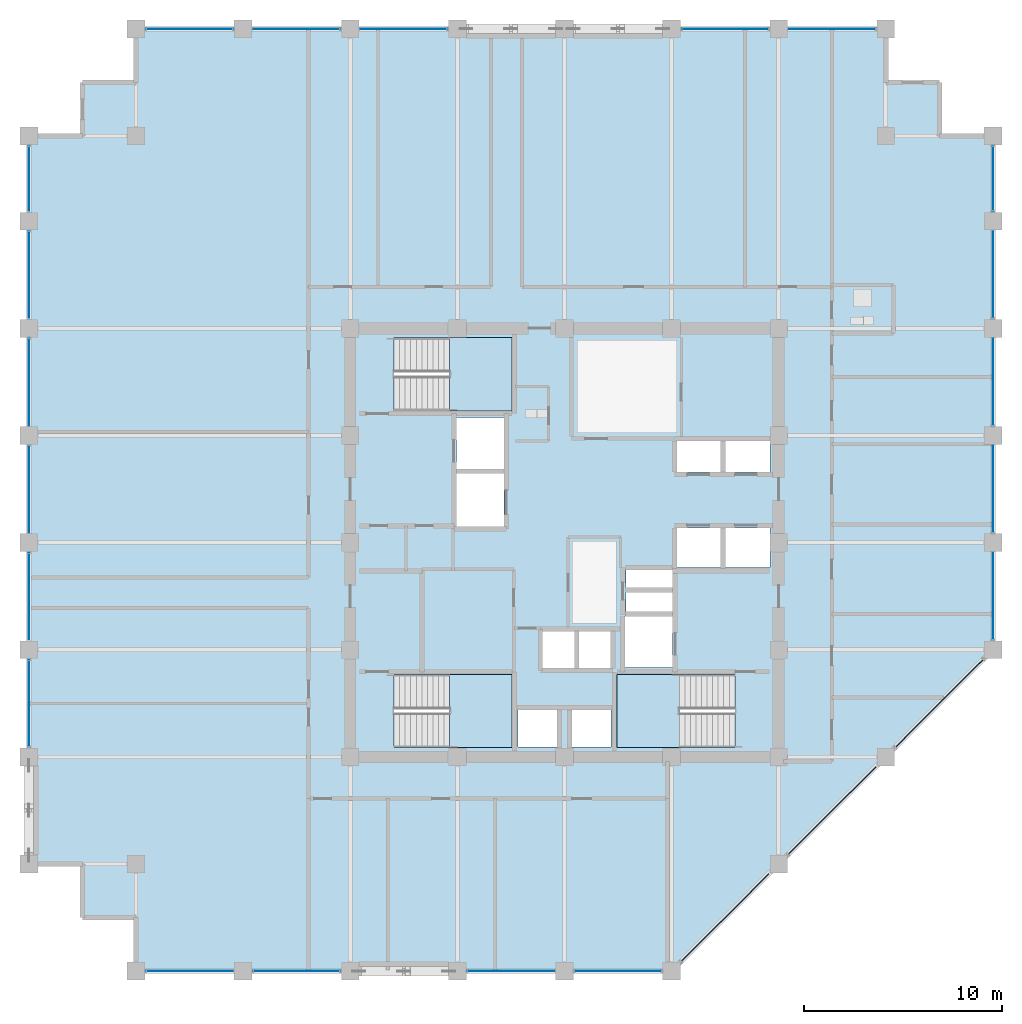
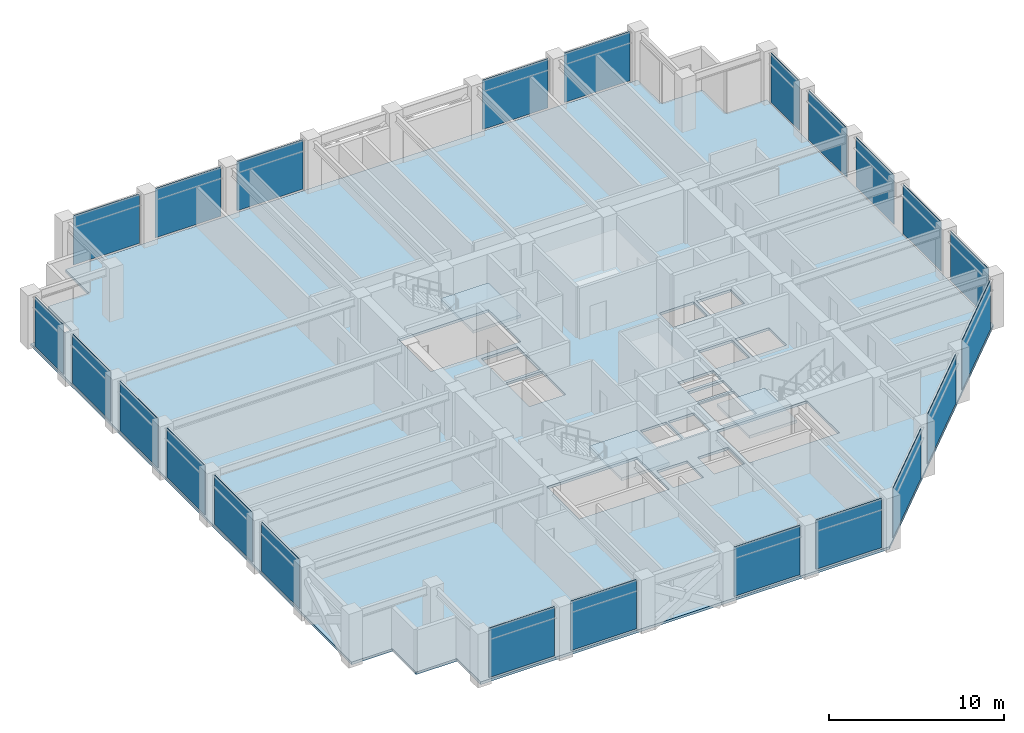
# One storey, part 26 of 32: 23 plates, 4 slabs, 10 elements without a shape of their own.
"""IFC4 building model written with IfcOpenShell, lengths in metres."""

from ifc_helpers import new_model, si_unit, direction, frame, frame_2d, origin, place, context, subcontext, project, spatial, polyline, rectangle, outline, extrude, material, layer, layer_set, type_object, element, aggregate, save


model = new_model("IFC4")

# Units and contexts
model_context = context("Model", 3, precision=1e-05, world=origin(), true_north=direction((0.0, 1.0)))
body_context = subcontext(model_context, "Body", "Model", "MODEL_VIEW")
ifc_project = project(units=[si_unit("LENGTHUNIT", "METRE"), si_unit("AREAUNIT", "SQUARE_METRE"), si_unit("VOLUMEUNIT", "CUBIC_METRE"), si_unit("PLANEANGLEUNIT", "RADIAN"), si_unit("MASSUNIT", "GRAM", prefix="KILO")], contexts=[model_context])

# Site, building, storey
site_placement = place(None, origin())
site = spatial("IfcSite", under=ifc_project, at=site_placement, CompositionType="ELEMENT")
building_placement = place(site_placement, origin())
building = spatial("IfcBuilding", under=site, at=building_placement, Name="Surkhivell Harbour Commons", CompositionType="ELEMENT")
storey_placement = place(building_placement, frame((0.0, 0.0, 208.5)))
storey = spatial("IfcBuildingStorey", under=building, at=storey_placement, Name="L54", CompositionType="ELEMENT", Elevation=208.5)

# Curtain wall, plates
ifc_material_1 = material(Name="Anodised pale-metal aluminium and insulated glazing", Category="aluminium")
ifc_layer_1 = layer(ifc_material_1, 0.18994140625)
ifc_layer_set_1 = layer_set([ifc_layer_1], Name="Anodised pale-metal aluminium and insulated glazing")
curtain_wall_type = type_object("IfcCurtainWallType", Name="CW-SYS-Z3", PredefinedType="NOTDEFINED", material=ifc_layer_set_1)
curtain_wall_1_placement = place(storey_placement, origin())
curtain_wall_1 = element("IfcCurtainWall", 1, at=curtain_wall_1_placement, inside=storey, type_object=curtain_wall_type, Name="L54 Curtain Wall CW-L54-E00S1", PredefinedType="NOTDEFINED")
ifc_material_2 = material(Name="High-pressure typhoon laminated vision glass", Category="glass")
ifc_layer_2 = layer(ifc_material_2, 0.035888671875)
ifc_layer_set_2 = layer_set([ifc_layer_2], Name="High-pressure typhoon laminated vision glass")
plate_type = type_object("IfcPlateType", Name="CWP-GLZ-36", PredefinedType="CURTAIN_PANEL", material=ifc_layer_set_2)
plate_1_placement = place(storey_placement, frame((-21.072998046875, -21.60009765625, 0.1298828125), z_axis=(0.0, 0.0, 1.0), x_axis=(1.0, 0.0, 0.0)))
plate_1 = element("IfcPlate", 2, at=plate_1_placement, type_object=plate_type, Name="CW-Z3 panel 1.1", PredefinedType="CURTAIN_PANEL", context=body_context, shape_type="SweptSolid", body=[
    extrude(rectangle(XDim=4.345947265625, YDim=0.035888671875, at=frame_2d((2.1728515625, 0.0))), origin(), (0.0, 0.0, 1.0), 3.440185546875),
])
plate_2_placement = place(storey_placement, frame((-15.673095703125, -21.60009765625, 0.1298828125), z_axis=(0.0, 0.0, 1.0), x_axis=(1.0, 0.0, 0.0)))
plate_2 = element("IfcPlate", 3, at=plate_2_placement, type_object=plate_type, Name="CW-Z3 panel 2.1", PredefinedType="CURTAIN_PANEL", context=body_context, shape_type="SweptSolid", body=[
    extrude(rectangle(XDim=4.34619140625, YDim=0.035888671875, at=frame_2d((2.173095703125, 0.0))), origin(), (0.0, 0.0, 1.0), 3.440185546875),
])
aggregate(curtain_wall_1, [plate_1, plate_2])

curtain_wall_2_placement = place(storey_placement, origin())
curtain_wall_2 = element("IfcCurtainWall", 4, at=curtain_wall_2_placement, inside=storey, type_object=curtain_wall_type, Name="L54 Curtain Wall CW-L54-E00S2", PredefinedType="NOTDEFINED")
plate_3_placement = place(storey_placement, frame((-4.873046875, -21.60009765625, 0.1298828125), z_axis=(0.0, 0.0, 1.0), x_axis=(1.0, 0.0, 0.0)))
plate_3 = element("IfcPlate", 5, at=plate_3_placement, type_object=plate_type, Name="CW-Z3 panel 1.1", PredefinedType="CURTAIN_PANEL", context=body_context, shape_type="SweptSolid", body=[
    extrude(rectangle(XDim=4.345947265625, YDim=0.035888671875, at=frame_2d((2.1728515625, 0.0))), origin(), (0.0, 0.0, 1.0), 3.440185546875),
])
plate_4_placement = place(storey_placement, frame((0.527099609375, -21.60009765625, 0.1298828125), z_axis=(0.0, 0.0, 1.0), x_axis=(1.0, 0.0, 0.0)))
plate_4 = element("IfcPlate", 6, at=plate_4_placement, type_object=plate_type, Name="CW-Z3 panel 2.1", PredefinedType="CURTAIN_PANEL", context=body_context, shape_type="SweptSolid", body=[
    extrude(rectangle(XDim=4.345947265625, YDim=0.035888671875, at=frame_2d((2.1728515625, 0.0))), origin(), (0.0, 0.0, 1.0), 3.440185546875),
])
aggregate(curtain_wall_2, [plate_3, plate_4])

curtain_wall_3_placement = place(storey_placement, origin())
curtain_wall_3 = element("IfcCurtainWall", 7, at=curtain_wall_3_placement, inside=storey, type_object=curtain_wall_type, Name="L54 Curtain Wall CW-L54-E01", PredefinedType="NOTDEFINED")
plate_5_placement = place(storey_placement, frame((5.90478515625, -21.09521484375, 0.1298828125), z_axis=(0.0, 0.0, 1.0), x_axis=(0.707106781187, 0.707106781187, 0.0)))
plate_5 = element("IfcPlate", 8, at=plate_5_placement, type_object=plate_type, Name="CW-Z3 panel 1.1", PredefinedType="CURTAIN_PANEL", context=body_context, shape_type="SweptSolid", body=[
    extrude(rectangle(XDim=6.209228515625, YDim=0.035888671875, at=frame_2d((3.1044921875, 0.0))), origin(), (0.0, 0.0, 1.0), 3.440185546875),
])
plate_6_placement = place(storey_placement, frame((11.3046875, -15.6953125, 0.1298828125), z_axis=(0.0, 0.0, 1.0), x_axis=(0.707106781187, 0.707106781187, 0.0)))
plate_6 = element("IfcPlate", 9, at=plate_6_placement, type_object=plate_type, Name="CW-Z3 panel 2.1", PredefinedType="CURTAIN_PANEL", context=body_context, shape_type="SweptSolid", body=[
    extrude(rectangle(XDim=6.209228515625, YDim=0.035888671875, at=frame_2d((3.1044921875, 0.0))), origin(), (0.0, 0.0, 1.0), 3.440185546875),
])
plate_7_placement = place(storey_placement, frame((16.70458984375, -10.29541015625, 0.1298828125), z_axis=(0.0, 0.0, 1.0), x_axis=(0.707106781187, 0.707106781187, 0.0)))
plate_7 = element("IfcPlate", 10, at=plate_7_placement, type_object=plate_type, Name="CW-Z3 panel 3.1", PredefinedType="CURTAIN_PANEL", context=body_context, shape_type="SweptSolid", body=[
    extrude(rectangle(XDim=6.209228515625, YDim=0.035888671875, at=frame_2d((3.1044921875, 0.0))), origin(), (0.0, 0.0, 1.0), 3.440185546875),
])
aggregate(curtain_wall_3, [plate_5, plate_6, plate_7])

curtain_wall_4_placement = place(storey_placement, origin())
curtain_wall_4 = element("IfcCurtainWall", 11, at=curtain_wall_4_placement, inside=storey, type_object=curtain_wall_type, Name="L54 Curtain Wall CW-L54-E02", PredefinedType="NOTDEFINED")
plate_8_placement = place(storey_placement, frame((21.60009765625, -4.873046875, 0.1298828125), z_axis=(0.0, 0.0, 1.0), x_axis=(0.0, 1.0, 0.0)))
plate_8 = element("IfcPlate", 12, at=plate_8_placement, type_object=plate_type, Name="CW-Z3 panel 1.1", PredefinedType="CURTAIN_PANEL", context=body_context, shape_type="SweptSolid", body=[
    extrude(rectangle(XDim=4.345947265625, YDim=0.035888671875, at=frame_2d((2.1728515625, 0.0))), origin(), (0.0, 0.0, 1.0), 3.440185546875),
])
plate_9_placement = place(storey_placement, frame((21.60009765625, 0.527099609375, 0.1298828125), z_axis=(0.0, 0.0, 1.0), x_axis=(0.0, 1.0, 0.0)))
plate_9 = element("IfcPlate", 13, at=plate_9_placement, type_object=plate_type, Name="CW-Z3 panel 2.1", PredefinedType="CURTAIN_PANEL", context=body_context, shape_type="SweptSolid", body=[
    extrude(rectangle(XDim=4.345947265625, YDim=0.035888671875, at=frame_2d((2.1728515625, 0.0))), origin(), (0.0, 0.0, 1.0), 3.440185546875),
])
plate_10_placement = place(storey_placement, frame((21.60009765625, 5.927001953125, 0.1298828125), z_axis=(0.0, 0.0, 1.0), x_axis=(0.0, 1.0, 0.0)))
plate_10 = element("IfcPlate", 14, at=plate_10_placement, type_object=plate_type, Name="CW-Z3 panel 3.1", PredefinedType="CURTAIN_PANEL", context=body_context, shape_type="SweptSolid", body=[
    extrude(rectangle(XDim=4.345947265625, YDim=0.035888671875, at=frame_2d((2.1728515625, 0.0))), origin(), (0.0, 0.0, 1.0), 3.440185546875),
])
plate_11_placement = place(storey_placement, frame((21.60009765625, 11.326904296875, 0.1298828125), z_axis=(0.0, 0.0, 1.0), x_axis=(0.0, 1.0, 0.0)))
plate_11 = element("IfcPlate", 15, at=plate_11_placement, type_object=plate_type, Name="CW-Z3 panel 4.1", PredefinedType="CURTAIN_PANEL", context=body_context, shape_type="SweptSolid", body=[
    extrude(rectangle(XDim=4.34619140625, YDim=0.035888671875, at=frame_2d((2.173095703125, 0.0))), origin(), (0.0, 0.0, 1.0), 3.440185546875),
])
plate_12_placement = place(storey_placement, frame((21.60009765625, 16.72705078125, 0.1298828125), z_axis=(0.0, 0.0, 1.0), x_axis=(0.0, 1.0, 0.0)))
plate_12 = element("IfcPlate", 16, at=plate_12_placement, type_object=plate_type, Name="CW-Z3 panel 5.1", PredefinedType="CURTAIN_PANEL", context=body_context, shape_type="SweptSolid", body=[
    extrude(rectangle(XDim=3.245849609375, YDim=0.035888671875, at=frame_2d((1.623046875, 0.0))), origin(), (0.0, 0.0, 1.0), 3.440185546875),
])
aggregate(curtain_wall_4, [plate_8, plate_9, plate_10, plate_11, plate_12])

curtain_wall_5_placement = place(storey_placement, origin())
curtain_wall_5 = element("IfcCurtainWall", 17, at=curtain_wall_5_placement, inside=storey, type_object=curtain_wall_type, Name="L54 Curtain Wall CW-L54-E07S1", PredefinedType="NOTDEFINED")
plate_13_placement = place(storey_placement, frame((15.673095703125, 25.89990234375, 0.1298828125), z_axis=(0.0, 0.0, 1.0), x_axis=(-1.0, 0.0, 0.0)))
plate_13 = element("IfcPlate", 18, at=plate_13_placement, type_object=plate_type, Name="CW-Z3 panel 1.1", PredefinedType="CURTAIN_PANEL", context=body_context, shape_type="SweptSolid", body=[
    extrude(rectangle(XDim=4.34619140625, YDim=0.035888671875, at=frame_2d((2.173095703125, 0.0))), origin(), (0.0, 0.0, 1.0), 3.440185546875),
])
plate_14_placement = place(storey_placement, frame((10.27294921875, 25.89990234375, 0.1298828125), z_axis=(0.0, 0.0, 1.0), x_axis=(-1.0, 0.0, 0.0)))
plate_14 = element("IfcPlate", 19, at=plate_14_placement, type_object=plate_type, Name="CW-Z3 panel 2.1", PredefinedType="CURTAIN_PANEL", context=body_context, shape_type="SweptSolid", body=[
    extrude(rectangle(XDim=4.345947265625, YDim=0.035888671875, at=frame_2d((2.1728515625, 0.0))), origin(), (0.0, 0.0, 1.0), 3.440185546875),
])
aggregate(curtain_wall_5, [plate_13, plate_14])

curtain_wall_6_placement = place(storey_placement, origin())
curtain_wall_6 = element("IfcCurtainWall", 20, at=curtain_wall_6_placement, inside=storey, type_object=curtain_wall_type, Name="L54 Curtain Wall CW-L54-E07S2", PredefinedType="NOTDEFINED")
plate_15_placement = place(storey_placement, frame((-5.927001953125, 25.89990234375, 0.1298828125), z_axis=(0.0, 0.0, 1.0), x_axis=(-1.0, 0.0, 0.0)))
plate_15 = element("IfcPlate", 21, at=plate_15_placement, type_object=plate_type, Name="CW-Z3 panel 1.1", PredefinedType="CURTAIN_PANEL", context=body_context, shape_type="SweptSolid", body=[
    extrude(rectangle(XDim=4.345947265625, YDim=0.035888671875, at=frame_2d((2.1728515625, 0.0))), origin(), (0.0, 0.0, 1.0), 3.440185546875),
])
plate_16_placement = place(storey_placement, frame((-11.326904296875, 25.89990234375, 0.1298828125), z_axis=(0.0, 0.0, 1.0), x_axis=(-1.0, 0.0, 0.0)))
plate_16 = element("IfcPlate", 22, at=plate_16_placement, type_object=plate_type, Name="CW-Z3 panel 2.1", PredefinedType="CURTAIN_PANEL", context=body_context, shape_type="SweptSolid", body=[
    extrude(rectangle(XDim=4.34619140625, YDim=0.035888671875, at=frame_2d((2.173095703125, 0.0))), origin(), (0.0, 0.0, 1.0), 3.440185546875),
])
plate_17_placement = place(storey_placement, frame((-16.72705078125, 25.89990234375, 0.1298828125), z_axis=(0.0, 0.0, 1.0), x_axis=(-1.0, 0.0, 0.0)))
plate_17 = element("IfcPlate", 23, at=plate_17_placement, type_object=plate_type, Name="CW-Z3 panel 3.1", PredefinedType="CURTAIN_PANEL", context=body_context, shape_type="SweptSolid", body=[
    extrude(rectangle(XDim=4.345947265625, YDim=0.035888671875, at=frame_2d((2.1728515625, 0.0))), origin(), (0.0, 0.0, 1.0), 3.440185546875),
])
aggregate(curtain_wall_6, [plate_15, plate_16, plate_17])

curtain_wall_7_placement = place(storey_placement, origin())
curtain_wall_7 = element("IfcCurtainWall", 24, at=curtain_wall_7_placement, inside=storey, type_object=curtain_wall_type, Name="L54 Curtain Wall CW-L54-E12S1", PredefinedType="NOTDEFINED")
plate_18_placement = place(storey_placement, frame((-27.0, 19.972900390625, 0.1298828125), z_axis=(0.0, 0.0, 1.0), x_axis=(0.0, -1.0, 0.0)))
plate_18 = element("IfcPlate", 25, at=plate_18_placement, type_object=plate_type, Name="CW-Z3 panel 1.1", PredefinedType="CURTAIN_PANEL", context=body_context, shape_type="SweptSolid", body=[
    extrude(rectangle(XDim=3.245849609375, YDim=0.035888671875, at=frame_2d((1.623046875, 0.0))), origin(), (0.0, 0.0, 1.0), 3.440185546875),
])
plate_19_placement = place(storey_placement, frame((-27.0, 15.673095703125, 0.1298828125), z_axis=(0.0, 0.0, 1.0), x_axis=(0.0, -1.0, 0.0)))
plate_19 = element("IfcPlate", 26, at=plate_19_placement, type_object=plate_type, Name="CW-Z3 panel 2.1", PredefinedType="CURTAIN_PANEL", context=body_context, shape_type="SweptSolid", body=[
    extrude(rectangle(XDim=4.34619140625, YDim=0.035888671875, at=frame_2d((2.173095703125, 0.0))), origin(), (0.0, 0.0, 1.0), 3.440185546875),
])
plate_20_placement = place(storey_placement, frame((-27.0, 10.27294921875, 0.1298828125), z_axis=(0.0, 0.0, 1.0), x_axis=(0.0, -1.0, 0.0)))
plate_20 = element("IfcPlate", 27, at=plate_20_placement, type_object=plate_type, Name="CW-Z3 panel 3.1", PredefinedType="CURTAIN_PANEL", context=body_context, shape_type="SweptSolid", body=[
    extrude(rectangle(XDim=4.345947265625, YDim=0.035888671875, at=frame_2d((2.1728515625, 0.0))), origin(), (0.0, 0.0, 1.0), 3.440185546875),
])
plate_21_placement = place(storey_placement, frame((-27.0, 4.873046875, 0.1298828125), z_axis=(0.0, 0.0, 1.0), x_axis=(0.0, -1.0, 0.0)))
plate_21 = element("IfcPlate", 28, at=plate_21_placement, type_object=plate_type, Name="CW-Z3 panel 4.1", PredefinedType="CURTAIN_PANEL", context=body_context, shape_type="SweptSolid", body=[
    extrude(rectangle(XDim=4.345947265625, YDim=0.035888671875, at=frame_2d((2.1728515625, 0.0))), origin(), (0.0, 0.0, 1.0), 3.440185546875),
])
plate_22_placement = place(storey_placement, frame((-27.0, -0.527099609375, 0.1298828125), z_axis=(0.0, 0.0, 1.0), x_axis=(0.0, -1.0, 0.0)))
plate_22 = element("IfcPlate", 29, at=plate_22_placement, type_object=plate_type, Name="CW-Z3 panel 5.1", PredefinedType="CURTAIN_PANEL", context=body_context, shape_type="SweptSolid", body=[
    extrude(rectangle(XDim=4.345947265625, YDim=0.035888671875, at=frame_2d((2.1728515625, 0.0))), origin(), (0.0, 0.0, 1.0), 3.440185546875),
])
plate_23_placement = place(storey_placement, frame((-27.0, -5.927001953125, 0.1298828125), z_axis=(0.0, 0.0, 1.0), x_axis=(0.0, -1.0, 0.0)))
plate_23 = element("IfcPlate", 30, at=plate_23_placement, type_object=plate_type, Name="CW-Z3 panel 6.1", PredefinedType="CURTAIN_PANEL", context=body_context, shape_type="SweptSolid", body=[
    extrude(rectangle(XDim=4.345947265625, YDim=0.035888671875, at=frame_2d((2.1728515625, 0.0))), origin(), (0.0, 0.0, 1.0), 3.440185546875),
])
aggregate(curtain_wall_7, [plate_18, plate_19, plate_20, plate_21, plate_22, plate_23])

# Stair, slab
ifc_material_3 = material(Name="Precast concrete C45/55", Category="concrete")
stair_type = type_object("IfcStairType", Name="STR-DL-375", PredefinedType="HALF_TURN_STAIR", material=ifc_material_3)
stair_1_placement = place(storey_placement, origin())
stair_1 = element("IfcStair", 31, at=stair_1_placement, inside=storey, type_object=stair_type, Name="L54 Core Exit Stair ST1", PredefinedType="HALF_TURN_STAIR")
ifc_material_4 = material(Name="Reinforced concrete C45/55", Category="concrete")
ifc_layer_3 = layer(ifc_material_4, 0.199951171875)
ifc_layer_set_3 = layer_set([ifc_layer_3], Name="Reinforced concrete C45/55")
slab_type_1 = type_object("IfcSlabType", Name="SLB-ST-LND200", PredefinedType="LANDING", material=ifc_layer_set_3)
slab_1_placement = place(storey_placement, frame((0.0, 0.0, 1.675048828125)))
slab_1 = element("IfcSlab", 32, at=slab_1_placement, type_object=slab_type_1, Name="ST1 landing 1", PredefinedType="LANDING", context=body_context, shape_type="SweptSolid", body=[
    extrude(outline(polyline([(-5.7900390625, 6.639892578125), (-2.639892578125, 6.639892578125), (-2.639892578125, 10.340087890625), (-5.7900390625, 10.340087890625), (-5.7900390625, 6.639892578125)])), origin(), (0.0, 0.0, 1.0), 0.199951171875),
])
aggregate(stair_1, [slab_1])

stair_2_placement = place(storey_placement, origin())
stair_2 = element("IfcStair", 33, at=stair_2_placement, inside=storey, type_object=stair_type, Name="L54 Core Exit Stair ST2", PredefinedType="HALF_TURN_STAIR")
slab_2_placement = place(storey_placement, frame((0.0, 0.0, 1.675048828125)))
slab_2 = element("IfcSlab", 34, at=slab_2_placement, type_object=slab_type_1, Name="ST2 landing 1", PredefinedType="LANDING", context=body_context, shape_type="SweptSolid", body=[
    extrude(outline(polyline([(5.7900390625, -6.639892578125), (2.639892578125, -6.639892578125), (2.639892578125, -10.340087890625), (5.7900390625, -10.340087890625), (5.7900390625, -6.639892578125)])), origin(), (0.0, 0.0, 1.0), 0.199951171875),
])
aggregate(stair_2, [slab_2])

stair_3_placement = place(storey_placement, origin())
stair_3 = element("IfcStair", 35, at=stair_3_placement, inside=storey, type_object=stair_type, Name="L54 Core Exit Stair ST3", PredefinedType="HALF_TURN_STAIR")
slab_3_placement = place(storey_placement, frame((0.0, 0.0, 1.675048828125)))
slab_3 = element("IfcSlab", 36, at=slab_3_placement, type_object=slab_type_1, Name="ST3 landing 1", PredefinedType="LANDING", context=body_context, shape_type="SweptSolid", body=[
    extrude(outline(polyline([(-5.7900390625, -10.340087890625), (-2.639892578125, -10.340087890625), (-2.639892578125, -6.639892578125), (-5.7900390625, -6.639892578125), (-5.7900390625, -10.340087890625)])), origin(), (0.0, 0.0, 1.0), 0.199951171875),
])
aggregate(stair_3, [slab_3])

# Slab
ifc_material_5 = material(Name="Concrete C45/55", Category="concrete")
ifc_layer_4 = layer(ifc_material_5, 0.179931640625)
ifc_layer_set_4 = layer_set([ifc_layer_4], Name="Concrete C45/55")
slab_type_2 = type_object("IfcSlabType", Name="SLB-TYP-180", PredefinedType="FLOOR", material=ifc_layer_set_4)
slab_4_placement = place(storey_placement, frame((0.0, 0.0, -0.179931640625)))
element("IfcSlab", 37, at=slab_4_placement, inside=storey, type_object=slab_type_2, Name="L54 Structural Floor Slab", PredefinedType="FLOOR", context=body_context, shape_type="SweptSolid", body=[
    extrude(outline(polyline([(-21.60009765625, -21.60009765625), (5.39990234375, -21.60009765625), (21.60009765625, -5.39990234375), (21.60009765625, 20.5), (18.89990234375, 20.5), (18.89990234375, 23.199951171875), (16.199951171875, 23.199951171875), (16.199951171875, 25.89990234375), (-21.60009765625, 25.89990234375), (-21.60009765625, 23.199951171875), (-24.300048828125, 23.199951171875), (-24.300048828125, 20.5), (-27.0, 20.5), (-27.0, -16.199951171875), (-24.300048828125, -16.199951171875), (-24.300048828125, -18.89990234375), (-21.60009765625, -18.89990234375), (-21.60009765625, -21.60009765625)]), holes=[polyline([(-8.590087890625, 6.639892578125), (-2.639892578125, 6.639892578125), (-2.639892578125, 10.340087890625), (-8.590087890625, 10.340087890625), (-8.590087890625, 6.639892578125)]), polyline([(8.590087890625, -6.639892578125), (2.639892578125, -6.639892578125), (2.639892578125, -10.340087890625), (8.590087890625, -10.340087890625), (8.590087890625, -6.639892578125)]), polyline([(-8.590087890625, -10.340087890625), (-2.639892578125, -10.340087890625), (-2.639892578125, -6.639892578125), (-8.590087890625, -6.639892578125), (-8.590087890625, -10.340087890625)]), polyline([(5.64990234375, 3.550048828125), (7.89990234375, 3.550048828125), (7.89990234375, 5.14990234375), (5.64990234375, 5.14990234375), (5.64990234375, 3.550048828125)]), polyline([(8.10009765625, 3.550048828125), (10.35009765625, 3.550048828125), (10.35009765625, 5.14990234375), (8.10009765625, 5.14990234375), (8.10009765625, 3.550048828125)]), polyline([(5.64990234375, -1.25), (7.89990234375, -1.25), (7.89990234375, 0.75), (5.64990234375, 0.75), (5.64990234375, -1.25)]), polyline([(8.10009765625, -1.25), (10.35009765625, -1.25), (10.35009765625, 0.75), (8.10009765625, 0.75), (8.10009765625, -1.25)]), polyline([(-1.14990234375, -6.35009765625), (0.550048828125, -6.35009765625), (0.550048828125, -4.449951171875), (-1.14990234375, -4.449951171875), (-1.14990234375, -6.35009765625)]), polyline([(0.679931640625, -6.35009765625), (2.3798828125, -6.35009765625), (2.3798828125, -4.449951171875), (0.679931640625, -4.449951171875), (0.679931640625, -6.35009765625)]), polyline([(-2.35009765625, -10.300048828125), (-0.35009765625, -10.300048828125), (-0.35009765625, -8.39990234375), (-2.35009765625, -8.39990234375), (-2.35009765625, -10.300048828125)]), polyline([(0.35009765625, -10.300048828125), (2.35009765625, -10.300048828125), (2.35009765625, -8.39990234375), (0.35009765625, -8.39990234375), (0.35009765625, -10.300048828125)]), polyline([(-5.449951171875, 3.699951171875), (-3.050048828125, 3.699951171875), (-3.050048828125, 6.300048828125), (-5.449951171875, 6.300048828125), (-5.449951171875, 3.699951171875)]), polyline([(3.050048828125, -6.300048828125), (5.449951171875, -6.300048828125), (5.449951171875, -3.699951171875), (3.050048828125, -3.699951171875), (3.050048828125, -6.300048828125)]), polyline([(-5.449951171875, 0.800048828125), (-3.050048828125, 0.800048828125), (-3.050048828125, 3.5), (-5.449951171875, 3.5), (-5.449951171875, 0.800048828125)]), polyline([(3.10009765625, -3.550048828125), (5.449951171875, -3.550048828125), (5.449951171875, -2.47998046875), (3.10009765625, -2.47998046875), (3.10009765625, -3.550048828125)]), polyline([(3.10009765625, -2.280029296875), (5.449951171875, -2.280029296875), (5.449951171875, -1.35009765625), (3.10009765625, -1.35009765625), (3.10009765625, -2.280029296875)])]), origin(), (0.0, 0.0, 1.0), 0.179931640625),
])

save(model, "model.ifc")
